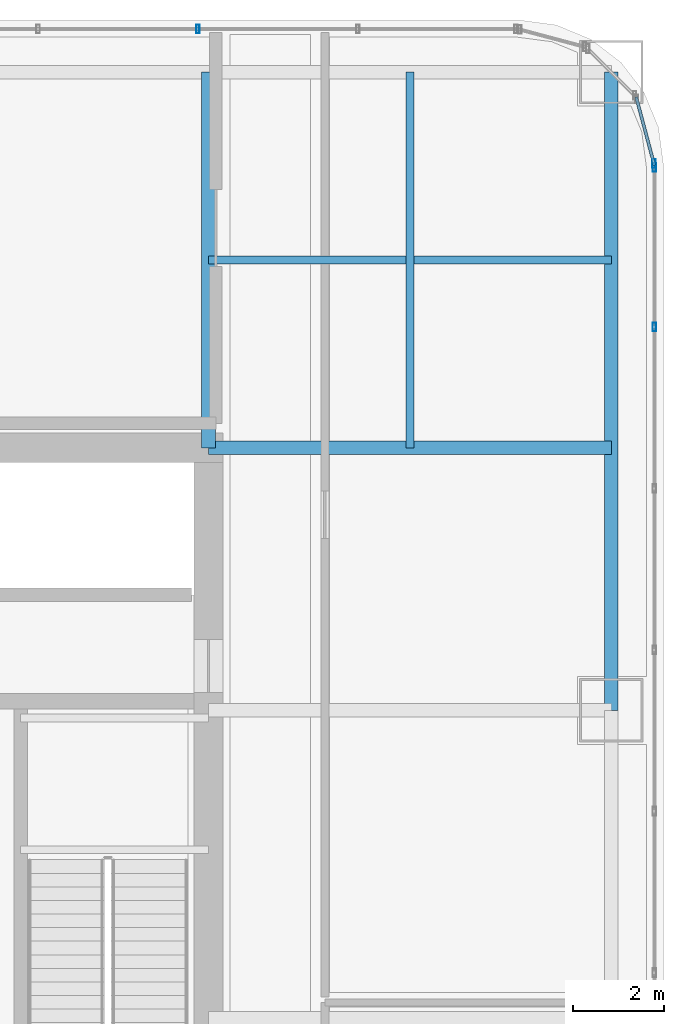
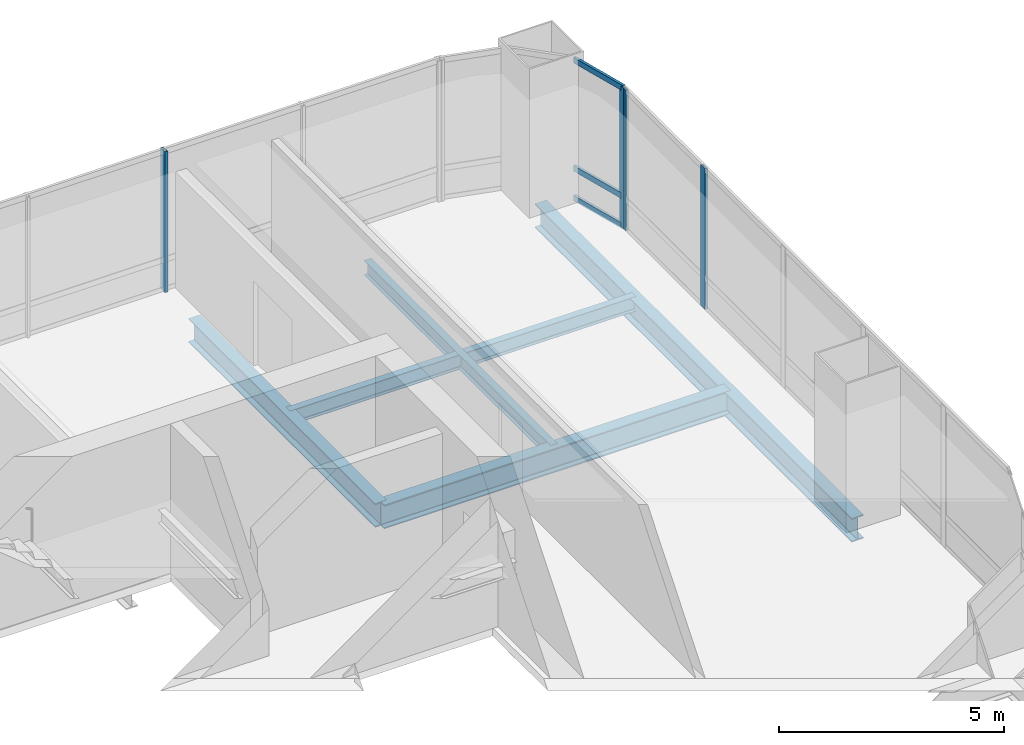
# One storey, part 25 of 36: 7 members, 5 beams, 3 elements without a shape of their own.
"""IFC4 building model written with IfcOpenShell, lengths in metres."""

from ifc_helpers import new_model, si_unit, direction, frame, origin, origin_2d, place, context, subcontext, project, spatial, hollow_rectangle, i_section, extrude, material, material_profile, profile_set, type_object, element, aggregate, save


model = new_model("IFC4")

# Units and contexts
model_context = context("Model", 3, precision=1e-05, world=origin(), true_north=direction((0.0, 1.0)))
body_context = subcontext(model_context, "Body", "Model", "MODEL_VIEW")
ifc_project = project(units=[si_unit("LENGTHUNIT", "METRE"), si_unit("AREAUNIT", "SQUARE_METRE"), si_unit("VOLUMEUNIT", "CUBIC_METRE"), si_unit("PLANEANGLEUNIT", "RADIAN"), si_unit("MASSUNIT", "GRAM", prefix="KILO")], contexts=[model_context])

# Site, building, storey
site_placement = place(None, origin())
site = spatial("IfcSite", under=ifc_project, at=site_placement, CompositionType="ELEMENT")
building_placement = place(site_placement, origin())
building = spatial("IfcBuilding", under=site, at=building_placement, Name="Punatoya Terracotta Tower", CompositionType="ELEMENT")
storey_placement = place(building_placement, frame((0.0, 0.0, 196.5)))
storey = spatial("IfcBuildingStorey", under=building, at=storey_placement, Name="L46", CompositionType="ELEMENT", Elevation=196.5)

# Beams
ifc_material_1 = material(Name="Steel S355", Category="steel")
ifc_material_profile_1 = material_profile(ifc_material_1, i_section(OverallWidth=0.300048828125, OverallDepth=0.64990234375, WebThickness=0.01611328125, FlangeThickness=0.031005859375, FilletRadius=0.01806640625, at=origin_2d()))
ifc_profile_set_1 = profile_set([ifc_material_profile_1], Name="Steel S355")
beam_type_1 = type_object("IfcBeamType", Name="BM-PRI-650", PredefinedType="BEAM", material=ifc_profile_set_1)
beam_1_placement = place(storey_placement, frame((19.10009765625, 3.39990234375, -0.544921875), z_axis=(0.0, 1.0, 0.0), x_axis=(-1.0, 0.0, 0.0)))
element("IfcBeam", 1, at=beam_1_placement, inside=storey, type_object=beam_type_1, Name="BM-L46-RG-E3", PredefinedType="BEAM", context=body_context, shape_type="SweptSolid", body=[
    extrude(i_section(OverallWidth=0.300048828125, OverallDepth=0.64990234375, WebThickness=0.01611328125, FlangeThickness=0.031005859375, FilletRadius=0.01806640625, at=origin_2d()), origin(), (0.0, 0.0, 1.0), 14.10009765625),
])
beam_2_placement = place(storey_placement, frame((10.199951171875, 9.199951171875, -0.544921875), z_axis=(1.0, 0.0, 0.0), x_axis=(0.0, 1.0, 0.0)))
element("IfcBeam", 2, at=beam_2_placement, inside=storey, type_object=beam_type_1, Name="BM-L46-PR-EN", PredefinedType="BEAM", context=body_context, shape_type="SweptSolid", body=[
    extrude(i_section(OverallWidth=0.300048828125, OverallDepth=0.64990234375, WebThickness=0.01611328125, FlangeThickness=0.031005859375, FilletRadius=0.01806640625, at=origin_2d()), origin(), (0.0, 0.0, 1.0), 8.900146484375),
])
beam_3_placement = place(storey_placement, frame((10.199951171875, 9.199951171875, -0.544921875), z_axis=(0.0, 1.0, 0.0), x_axis=(-1.0, 0.0, 0.0)))
element("IfcBeam", 3, at=beam_3_placement, inside=storey, type_object=beam_type_1, Name="BM-L46-PR-N4", PredefinedType="BEAM", context=body_context, shape_type="SweptSolid", body=[
    extrude(i_section(OverallWidth=0.300048828125, OverallDepth=0.64990234375, WebThickness=0.01611328125, FlangeThickness=0.031005859375, FilletRadius=0.01806640625, at=origin_2d()), origin(), (0.0, 0.0, 1.0), 8.300048828125),
])
ifc_material_profile_2 = material_profile(ifc_material_1, i_section(OverallWidth=0.179931640625, OverallDepth=0.39990234375, WebThickness=0.008544921875, FlangeThickness=0.013427734375, FilletRadius=0.01806640625, at=origin_2d()))
ifc_profile_set_2 = profile_set([ifc_material_profile_2], Name="Steel S355")
beam_type_2 = type_object("IfcBeamType", Name="BM-SEC-400", PredefinedType="JOIST", material=ifc_profile_set_2)
beam_4_placement = place(storey_placement, frame((10.199951171875, 13.35009765625, -0.419921875), z_axis=(1.0, 0.0, 0.0), x_axis=(0.0, 1.0, 0.0)))
element("IfcBeam", 4, at=beam_4_placement, inside=storey, type_object=beam_type_2, Name="BM-L46-SJN-2", PredefinedType="JOIST", context=body_context, shape_type="SweptSolid", body=[
    extrude(i_section(OverallWidth=0.179931640625, OverallDepth=0.39990234375, WebThickness=0.008544921875, FlangeThickness=0.013427734375, FilletRadius=0.01806640625, at=origin_2d()), origin(), (0.0, 0.0, 1.0), 8.900146484375),
])
beam_5_placement = place(storey_placement, frame((14.64990234375, 9.199951171875, -0.419921875), z_axis=(0.0, 1.0, 0.0), x_axis=(-1.0, 0.0, 0.0)))
element("IfcBeam", 5, at=beam_5_placement, inside=storey, type_object=beam_type_2, Name="BM-L46-SJE-2", PredefinedType="JOIST", context=body_context, shape_type="SweptSolid", body=[
    extrude(i_section(OverallWidth=0.179931640625, OverallDepth=0.39990234375, WebThickness=0.008544921875, FlangeThickness=0.013427734375, FilletRadius=0.01806640625, at=origin_2d()), origin(), (0.0, 0.0, 1.0), 8.300048828125),
])

# Curtain wall, members
ifc_material_2 = material(Name="Aluminium 6063-T6 + Double Low-E Glass", Category="aluminium")
curtain_wall_type = type_object("IfcCurtainWallType", Name="CW-M2", PredefinedType="NOTDEFINED", material=ifc_material_2)
curtain_wall_1_placement = place(storey_placement, origin())
curtain_wall_1 = element("IfcCurtainWall", 6, at=curtain_wall_1_placement, inside=storey, type_object=curtain_wall_type, Name="L46 Curtain Wall CW-L46-E05-1", PredefinedType="NOTDEFINED")
ifc_material_3 = material(Name="Aluminium 6063-T6", Category="aluminium")
ifc_material_profile_3 = material_profile(ifc_material_3, hollow_rectangle(XDim=0.072021484375, YDim=0.195068359375, WallThickness=0.00439453125, at=origin_2d()))
ifc_profile_set_3 = profile_set([ifc_material_profile_3], Name="Aluminium 6063-T6")
member_type_1 = type_object("IfcMemberType", Name="CW-MUL-M2", PredefinedType="MULLION", material=ifc_profile_set_3)
member_1_placement = place(storey_placement, frame((20.050048828125, 11.869384765625, 0.0), z_axis=(0.0, 0.0, 1.0), x_axis=(1.0, 0.0, 0.0)))
member_1 = element("IfcMember", 7, at=member_1_placement, type_object=member_type_1, Name="CW-L46-E05-1 Mullion 09", PredefinedType="MULLION", context=body_context, shape_type="SweptSolid", body=[
    extrude(hollow_rectangle(XDim=0.072021484375, YDim=0.195068359375, WallThickness=0.00439453125, at=origin_2d()), origin(), (0.0, 0.0, 1.0), 3.830078125),
])
member_2_placement = place(storey_placement, frame((20.050048828125, 15.391845703125, 0.0), z_axis=(0.0, 0.0, 1.0), x_axis=(1.0, 0.0, 0.0)))
member_2 = element("IfcMember", 8, at=member_2_placement, type_object=member_type_1, Name="CW-L46-E05-1 Mullion 10", PredefinedType="MULLION", context=body_context, shape_type="SweptSolid", body=[
    extrude(hollow_rectangle(XDim=0.072021484375, YDim=0.195068359375, WallThickness=0.00439453125, at=origin_2d()), origin(), (0.0, 0.0, 1.0), 3.830078125),
])
aggregate(curtain_wall_1, [member_1, member_2])

# Curtain wall, member
curtain_wall_2_placement = place(storey_placement, origin())
curtain_wall_2 = element("IfcCurtainWall", 9, at=curtain_wall_2_placement, inside=storey, type_object=curtain_wall_type, Name="L46 Curtain Wall CW-L46-CRN06", PredefinedType="NOTDEFINED")
member_3_placement = place(storey_placement, frame((20.038330078125, 15.48046875, 0.0), z_axis=(0.0, 0.0, 1.0), x_axis=(1.0, 0.0, 0.0)))
member_3 = element("IfcMember", 10, at=member_3_placement, type_object=member_type_1, Name="CW-L46-CRN06 Mullion 00", PredefinedType="MULLION", context=body_context, shape_type="SweptSolid", body=[
    extrude(hollow_rectangle(XDim=0.072021484375, YDim=0.195068359375, WallThickness=0.00439453125, at=origin_2d()), origin(), (0.0, 0.0, 1.0), 3.830078125),
])

curtain_wall_3_placement = place(storey_placement, origin())
curtain_wall_3 = element("IfcCurtainWall", 11, at=curtain_wall_3_placement, inside=storey, type_object=curtain_wall_type, Name="L46 Curtain Wall CW-L46-N09-1", PredefinedType="NOTDEFINED")
member_4_placement = place(storey_placement, frame((9.968994140625, 18.449951171875, 0.0), z_axis=(0.0, 0.0, 1.0), x_axis=(1.0, 0.0, 0.0)))
member_4 = element("IfcMember", 12, at=member_4_placement, type_object=member_type_1, Name="CW-L46-N09-1 Mullion 02", PredefinedType="MULLION", context=body_context, shape_type="SweptSolid", body=[
    extrude(hollow_rectangle(XDim=0.072021484375, YDim=0.195068359375, WallThickness=0.00439453125, at=origin_2d()), origin(), (0.0, 0.0, 1.0), 3.830078125),
])
aggregate(curtain_wall_3, [member_4])

# Member
ifc_material_profile_4 = material_profile(ifc_material_3, hollow_rectangle(XDim=0.068115234375, YDim=0.14990234375, WallThickness=0.00390625, at=origin_2d()))
ifc_profile_set_4 = profile_set([ifc_material_profile_4], Name="Aluminium 6063-T6")
member_type_2 = type_object("IfcMemberType", Name="CW-TRN-TYP", PredefinedType="USERDEFINED", material=ifc_profile_set_4)
member_5_placement = place(storey_placement, frame((20.050048828125, 15.43701171875, 0.0400390625), z_axis=(-0.257847112249, 0.966185730957, 0.0), x_axis=(-0.966185730957, -0.257847112249, 0.0)))
member_5 = element("IfcMember", 13, at=member_5_placement, type_object=member_type_2, Name="CW-L46-CRN06 Transom 1", ObjectType="TRANSOM", PredefinedType="USERDEFINED", context=body_context, shape_type="SweptSolid", body=[
    extrude(hollow_rectangle(XDim=0.068115234375, YDim=0.14990234375, WallThickness=0.00390625, at=origin_2d()), origin(), (0.0, 0.0, 1.0), 1.565185546875),
])

member_6_placement = place(storey_placement, frame((20.050048828125, 15.43701171875, 0.85009765625), z_axis=(-0.257847112249, 0.966185730957, 0.0), x_axis=(-0.966185730957, -0.257847112249, 0.0)))
member_6 = element("IfcMember", 14, at=member_6_placement, type_object=member_type_2, Name="CW-L46-CRN06 Transom 2", ObjectType="TRANSOM", PredefinedType="USERDEFINED", context=body_context, shape_type="SweptSolid", body=[
    extrude(hollow_rectangle(XDim=0.068115234375, YDim=0.14990234375, WallThickness=0.00390625, at=origin_2d()), origin(), (0.0, 0.0, 1.0), 1.565185546875),
])

member_7_placement = place(storey_placement, frame((20.050048828125, 15.43701171875, 3.7900390625), z_axis=(-0.257847112249, 0.966185730957, 0.0), x_axis=(-0.966185730957, -0.257847112249, 0.0)))
member_7 = element("IfcMember", 15, at=member_7_placement, type_object=member_type_2, Name="CW-L46-CRN06 Transom 3", ObjectType="TRANSOM", PredefinedType="USERDEFINED", context=body_context, shape_type="SweptSolid", body=[
    extrude(hollow_rectangle(XDim=0.068115234375, YDim=0.14990234375, WallThickness=0.00390625, at=origin_2d()), origin(), (0.0, 0.0, 1.0), 1.565185546875),
])

aggregate(curtain_wall_2, [member_3, member_5, member_6, member_7])

save(model, "model.ifc")
